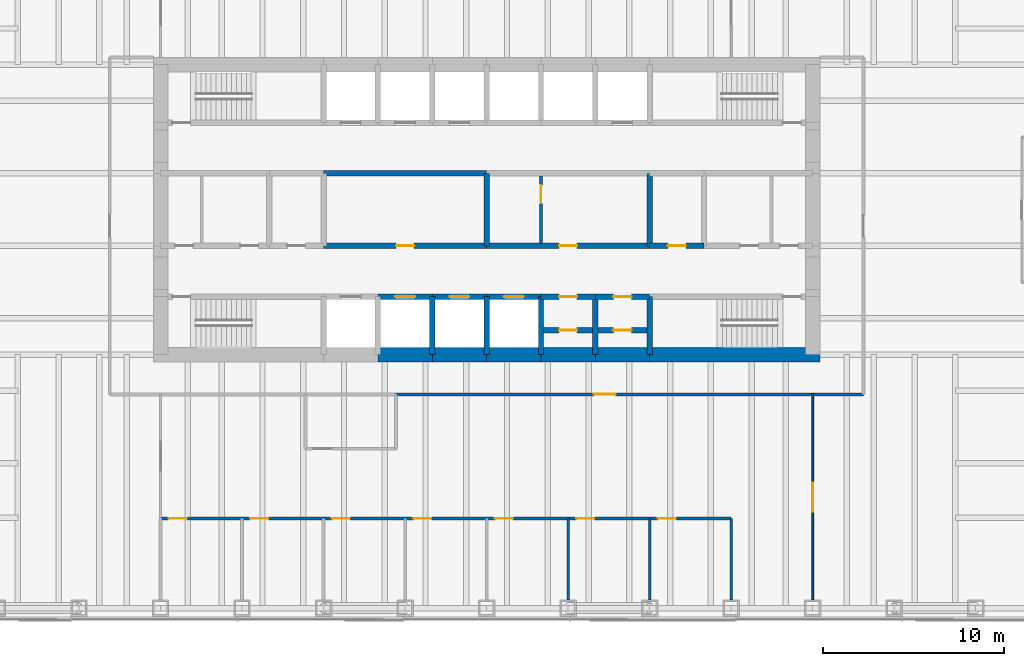
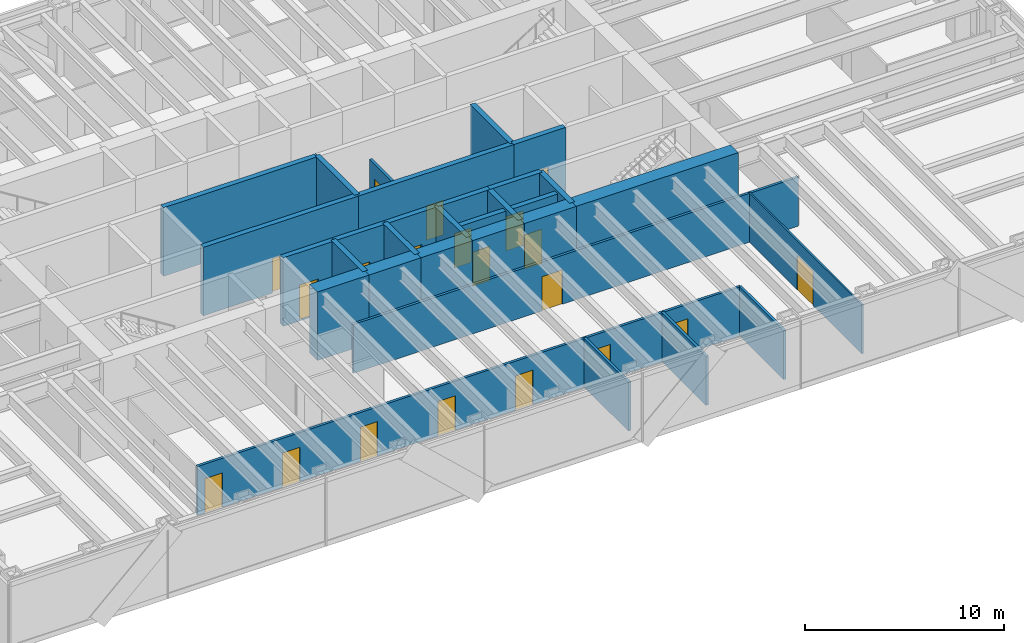
# One storey, part 14 of 17: 31 walls, 20 doors, 20 openings.
"""IFC4 building model written with IfcOpenShell, lengths in metres."""

from ifc_helpers import new_model, si_unit, direction, frame, frame_2d, origin, place, context, subcontext, project, spatial, rectangle, extrude, material, layer, layer_set, type_object, element, fill, save


model = new_model("IFC4")

# Units and contexts
model_context = context("Model", 3, precision=1e-05, world=origin(), true_north=direction((0.0, 1.0)))
body_context = subcontext(model_context, "Body", "Model", "MODEL_VIEW")
ifc_project = project(units=[si_unit("LENGTHUNIT", "METRE"), si_unit("AREAUNIT", "SQUARE_METRE"), si_unit("VOLUMEUNIT", "CUBIC_METRE"), si_unit("PLANEANGLEUNIT", "RADIAN"), si_unit("MASSUNIT", "GRAM", prefix="KILO")], contexts=[model_context])

# Site, building, storey
site_placement = place(None, origin())
site = spatial("IfcSite", under=ifc_project, at=site_placement, CompositionType="ELEMENT")
building_placement = place(site_placement, origin())
building = spatial("IfcBuilding", under=site, at=building_placement, Name="Rheinbord Bourse Tower", CompositionType="ELEMENT")
storey_placement = place(building_placement, frame((0.0, 0.0, 190.0)))
storey = spatial("IfcBuildingStorey", under=building, at=storey_placement, Name="L42", CompositionType="ELEMENT", Elevation=190.0)

# Wall, opening, door
ifc_material_1 = material(Name="Concrete C50/60", Category="concrete")
ifc_layer_1 = layer(ifc_material_1, 0.300048828125)
ifc_layer_set_1 = layer_set([ifc_layer_1], Name="CORE INNER WALL 300")
wall_type_1 = type_object("IfcWallType", Name="CORE INNER WALL 300", PredefinedType="SOLIDWALL", material=ifc_layer_set_1)
wall_1_placement = place(storey_placement, frame((30.0, 19.199951171875, 0.0), z_axis=(0.0, 0.0, 1.0), x_axis=(1.0, 0.0, 0.0)))
wall_1 = element("IfcWall", 1, at=wall_1_placement, inside=storey, type_object=wall_type_1, Name="Core wall A3 L42", PredefinedType="SOLIDWALL", context=body_context, shape_type="SweptSolid", body=[
    extrude(rectangle(XDim=3.0, YDim=0.300048828125, at=frame_2d((1.5, 0.0))), origin(), (0.0, 0.0, 1.0), 4.199951171875),
])
opening_1_placement = place(wall_1_placement, frame((0.949951171875, 0.0, 0.0)))
opening_1 = element("IfcOpeningElement", 2, at=opening_1_placement, cuts=wall_1, Name="Opening PC1", PredefinedType="OPENING", context=body_context, shape_type="SweptSolid", body=[
    extrude(rectangle(XDim=1.10009765625, YDim=2.199951171875, at=frame_2d((0.550048828125, 1.10009765625))), frame((0.0, 0.159912109375, 0.0), z_axis=(0.0, -1.0, 0.0), x_axis=(1.0, 0.0, 0.0)), (0.0, 0.0, 1.0), 0.320068359375),
])
ifc_material_2 = material(Name="Steel landing door", Category="steel")
door_type_1 = type_object("IfcDoorType", Name="LIFT LANDING DOOR 1100", OperationType="DOUBLE_DOOR_SLIDING", PredefinedType="USERDEFINED", material=ifc_material_2)
door_1_placement = place(opening_1_placement, origin())
door_1 = element("IfcDoor", 3, at=door_1_placement, inside=storey, type_object=door_type_1, Name="Lift landing door PC1 L42", ObjectType="LIFT LANDING DOOR", OperationType="DOUBLE_DOOR_SLIDING", OverallHeight=2.199951171875, OverallWidth=1.10009765625, PredefinedType="USERDEFINED", context=body_context, shape_type="SweptSolid", body=[
    extrude(rectangle(XDim=1.10009765625, YDim=2.199951171875, at=frame_2d((0.550048828125, 1.10009765625))), frame((0.0, 0.02490234375, 0.0), z_axis=(0.0, -1.0, 0.0), x_axis=(1.0, 0.0, 0.0)), (0.0, 0.0, 1.0), 0.050048828125),
])
fill(opening_1, door_1)

wall_2_placement = place(storey_placement, frame((33.0, 19.199951171875, 0.0), z_axis=(0.0, 0.0, 1.0), x_axis=(1.0, 0.0, 0.0)))
wall_2 = element("IfcWall", 4, at=wall_2_placement, inside=storey, type_object=wall_type_1, Name="Core wall A4 L42", PredefinedType="SOLIDWALL", context=body_context, shape_type="SweptSolid", body=[
    extrude(rectangle(XDim=3.0, YDim=0.300048828125, at=frame_2d((1.5, 0.0))), origin(), (0.0, 0.0, 1.0), 4.199951171875),
])
opening_2_placement = place(wall_2_placement, frame((0.949951171875, 0.0, 0.0)))
opening_2 = element("IfcOpeningElement", 5, at=opening_2_placement, cuts=wall_2, Name="Opening PC2", PredefinedType="OPENING", context=body_context, shape_type="SweptSolid", body=[
    extrude(rectangle(XDim=1.10009765625, YDim=2.199951171875, at=frame_2d((0.550048828125, 1.10009765625))), frame((0.0, 0.159912109375, 0.0), z_axis=(0.0, -1.0, 0.0), x_axis=(1.0, 0.0, 0.0)), (0.0, 0.0, 1.0), 0.320068359375),
])
door_2_placement = place(opening_2_placement, origin())
door_2 = element("IfcDoor", 6, at=door_2_placement, inside=storey, type_object=door_type_1, Name="Lift landing door PC2 L42", ObjectType="LIFT LANDING DOOR", OperationType="DOUBLE_DOOR_SLIDING", OverallHeight=2.199951171875, OverallWidth=1.10009765625, PredefinedType="USERDEFINED", context=body_context, shape_type="SweptSolid", body=[
    extrude(rectangle(XDim=1.10009765625, YDim=2.199951171875, at=frame_2d((0.550048828125, 1.10009765625))), frame((0.0, 0.02490234375, 0.0), z_axis=(0.0, -1.0, 0.0), x_axis=(1.0, 0.0, 0.0)), (0.0, 0.0, 1.0), 0.050048828125),
])
fill(opening_2, door_2)

wall_3_placement = place(storey_placement, frame((36.0, 19.199951171875, 0.0), z_axis=(0.0, 0.0, 1.0), x_axis=(1.0, 0.0, 0.0)))
wall_3 = element("IfcWall", 7, at=wall_3_placement, inside=storey, type_object=wall_type_1, Name="Core wall A5 L42", PredefinedType="SOLIDWALL", context=body_context, shape_type="SweptSolid", body=[
    extrude(rectangle(XDim=3.0, YDim=0.300048828125, at=frame_2d((1.5, 0.0))), origin(), (0.0, 0.0, 1.0), 4.199951171875),
])
opening_3_placement = place(wall_3_placement, frame((0.949951171875, 0.0, 0.0)))
opening_3 = element("IfcOpeningElement", 8, at=opening_3_placement, cuts=wall_3, Name="Opening PC3", PredefinedType="OPENING", context=body_context, shape_type="SweptSolid", body=[
    extrude(rectangle(XDim=1.10009765625, YDim=2.199951171875, at=frame_2d((0.550048828125, 1.10009765625))), frame((0.0, 0.159912109375, 0.0), z_axis=(0.0, -1.0, 0.0), x_axis=(1.0, 0.0, 0.0)), (0.0, 0.0, 1.0), 0.320068359375),
])
door_3_placement = place(opening_3_placement, origin())
door_3 = element("IfcDoor", 9, at=door_3_placement, inside=storey, type_object=door_type_1, Name="Lift landing door PC3 L42", ObjectType="LIFT LANDING DOOR", OperationType="DOUBLE_DOOR_SLIDING", OverallHeight=2.199951171875, OverallWidth=1.10009765625, PredefinedType="USERDEFINED", context=body_context, shape_type="SweptSolid", body=[
    extrude(rectangle(XDim=1.10009765625, YDim=2.199951171875, at=frame_2d((0.550048828125, 1.10009765625))), frame((0.0, 0.02490234375, 0.0), z_axis=(0.0, -1.0, 0.0), x_axis=(1.0, 0.0, 0.0)), (0.0, 0.0, 1.0), 0.050048828125),
])
fill(opening_3, door_3)

wall_4_placement = place(storey_placement, frame((39.0, 19.199951171875, 0.0), z_axis=(0.0, 0.0, 1.0), x_axis=(1.0, 0.0, 0.0)))
wall_4 = element("IfcWall", 10, at=wall_4_placement, inside=storey, type_object=wall_type_1, Name="Core wall A6 L42", PredefinedType="SOLIDWALL", context=body_context, shape_type="SweptSolid", body=[
    extrude(rectangle(XDim=3.0, YDim=0.300048828125, at=frame_2d((1.5, 0.0))), origin(), (0.0, 0.0, 1.0), 4.199951171875),
])
opening_4_placement = place(wall_4_placement, frame((1.0, 0.0, 0.0)))
opening_4 = element("IfcOpeningElement", 11, at=opening_4_placement, cuts=wall_4, Name="Opening 42R8", PredefinedType="OPENING", context=body_context, shape_type="SweptSolid", body=[
    extrude(rectangle(XDim=1.0, YDim=2.10009765625, at=frame_2d((0.5, 1.050048828125))), frame((0.0, 0.159912109375, 0.0), z_axis=(0.0, -1.0, 0.0), x_axis=(1.0, 0.0, 0.0)), (0.0, 0.0, 1.0), 0.320068359375),
])
ifc_material_3 = material(Name="Steel door", Category="steel")
door_type_2 = type_object("IfcDoorType", Name="DOOR 1000 EI30", OperationType="SINGLE_SWING_LEFT", PredefinedType="DOOR", material=ifc_material_3)
door_4_placement = place(opening_4_placement, origin())
door_4 = element("IfcDoor", 12, at=door_4_placement, inside=storey, type_object=door_type_2, Name="Archive store door L42", OperationType="SINGLE_SWING_LEFT", OverallHeight=2.10009765625, OverallWidth=1.0, PredefinedType="DOOR", context=body_context, shape_type="SweptSolid", body=[
    extrude(rectangle(XDim=1.0, YDim=2.10009765625, at=frame_2d((0.5, 1.050048828125))), frame((0.0, 0.02490234375, 0.0), z_axis=(0.0, -1.0, 0.0), x_axis=(1.0, 0.0, 0.0)), (0.0, 0.0, 1.0), 0.050048828125),
])
fill(opening_4, door_4)

wall_5_placement = place(storey_placement, frame((42.0, 19.199951171875, 0.0), z_axis=(0.0, 0.0, 1.0), x_axis=(1.0, 0.0, 0.0)))
wall_5 = element("IfcWall", 13, at=wall_5_placement, inside=storey, type_object=wall_type_1, Name="Core wall A7 L42", PredefinedType="SOLIDWALL", context=body_context, shape_type="SweptSolid", body=[
    extrude(rectangle(XDim=3.0, YDim=0.300048828125, at=frame_2d((1.5, 0.0))), origin(), (0.0, 0.0, 1.0), 4.199951171875),
])
opening_5_placement = place(wall_5_placement, frame((1.0, 0.0, 0.0)))
opening_5 = element("IfcOpeningElement", 14, at=opening_5_placement, cuts=wall_5, Name="Opening 42R9", PredefinedType="OPENING", context=body_context, shape_type="SweptSolid", body=[
    extrude(rectangle(XDim=1.0, YDim=2.10009765625, at=frame_2d((0.5, 1.050048828125))), frame((0.0, 0.159912109375, 0.0), z_axis=(0.0, -1.0, 0.0), x_axis=(1.0, 0.0, 0.0)), (0.0, 0.0, 1.0), 0.320068359375),
])
door_5_placement = place(opening_5_placement, origin())
door_5 = element("IfcDoor", 15, at=door_5_placement, inside=storey, type_object=door_type_2, Name="Mail room door L42", OperationType="SINGLE_SWING_LEFT", OverallHeight=2.10009765625, OverallWidth=1.0, PredefinedType="DOOR", context=body_context, shape_type="SweptSolid", body=[
    extrude(rectangle(XDim=1.0, YDim=2.10009765625, at=frame_2d((0.5, 1.050048828125))), frame((0.0, 0.02490234375, 0.0), z_axis=(0.0, -1.0, 0.0), x_axis=(1.0, 0.0, 0.0)), (0.0, 0.0, 1.0), 0.050048828125),
])
fill(opening_5, door_5)

wall_6_placement = place(storey_placement, frame((27.0, 22.0, 0.0), z_axis=(0.0, 0.0, 1.0), x_axis=(1.0, 0.0, 0.0)))
wall_6 = element("IfcWall", 16, at=wall_6_placement, inside=storey, type_object=wall_type_1, Name="Core wall C3 L42", PredefinedType="SOLIDWALL", context=body_context, shape_type="SweptSolid", body=[
    extrude(rectangle(XDim=9.0, YDim=0.300048828125, at=frame_2d((4.5, 0.0))), origin(), (0.0, 0.0, 1.0), 4.199951171875),
])
opening_6_placement = place(wall_6_placement, frame((4.0, 0.0, 0.0)))
opening_6 = element("IfcOpeningElement", 17, at=opening_6_placement, cuts=wall_6, Name="Opening 42R3", PredefinedType="OPENING", context=body_context, shape_type="SweptSolid", body=[
    extrude(rectangle(XDim=1.0, YDim=2.10009765625, at=frame_2d((0.5, 1.050048828125))), frame((0.0, 0.159912109375, 0.0), z_axis=(0.0, -1.0, 0.0), x_axis=(1.0, 0.0, 0.0)), (0.0, 0.0, 1.0), 0.320068359375),
])
door_6_placement = place(opening_6_placement, origin())
door_6 = element("IfcDoor", 18, at=door_6_placement, inside=storey, type_object=door_type_2, Name="Riser door L42", OperationType="SINGLE_SWING_LEFT", OverallHeight=2.10009765625, OverallWidth=1.0, PredefinedType="DOOR", context=body_context, shape_type="SweptSolid", body=[
    extrude(rectangle(XDim=1.0, YDim=2.10009765625, at=frame_2d((0.5, 1.050048828125))), frame((0.0, 0.02490234375, 0.0), z_axis=(0.0, -1.0, 0.0), x_axis=(1.0, 0.0, 0.0)), (0.0, 0.0, 1.0), 0.050048828125),
])
fill(opening_6, door_6)

wall_7_placement = place(storey_placement, frame((36.0, 22.0, 0.0), z_axis=(0.0, 0.0, 1.0), x_axis=(1.0, 0.0, 0.0)))
wall_7 = element("IfcWall", 19, at=wall_7_placement, inside=storey, type_object=wall_type_1, Name="Core wall C4 L42", PredefinedType="SOLIDWALL", context=body_context, shape_type="SweptSolid", body=[
    extrude(rectangle(XDim=9.0, YDim=0.300048828125, at=frame_2d((4.5, 0.0))), origin(), (0.0, 0.0, 1.0), 4.199951171875),
])
opening_7_placement = place(wall_7_placement, frame((4.0, 0.0, 0.0)))
opening_7 = element("IfcOpeningElement", 20, at=opening_7_placement, cuts=wall_7, Name="Opening 42R4", PredefinedType="OPENING", context=body_context, shape_type="SweptSolid", body=[
    extrude(rectangle(XDim=1.0, YDim=2.10009765625, at=frame_2d((0.5, 1.050048828125))), frame((0.0, 0.159912109375, 0.0), z_axis=(0.0, -1.0, 0.0), x_axis=(1.0, 0.0, 0.0)), (0.0, 0.0, 1.0), 0.320068359375),
])
door_7_placement = place(opening_7_placement, origin())
door_7 = element("IfcDoor", 21, at=door_7_placement, inside=storey, type_object=door_type_2, Name="Pantry door L42", OperationType="SINGLE_SWING_LEFT", OverallHeight=2.10009765625, OverallWidth=1.0, PredefinedType="DOOR", context=body_context, shape_type="SweptSolid", body=[
    extrude(rectangle(XDim=1.0, YDim=2.10009765625, at=frame_2d((0.5, 1.050048828125))), frame((0.0, 0.02490234375, 0.0), z_axis=(0.0, -1.0, 0.0), x_axis=(1.0, 0.0, 0.0)), (0.0, 0.0, 1.0), 0.050048828125),
])
fill(opening_7, door_7)

wall_8_placement = place(storey_placement, frame((45.0, 22.0, 0.0), z_axis=(0.0, 0.0, 1.0), x_axis=(1.0, 0.0, 0.0)))
wall_8 = element("IfcWall", 22, at=wall_8_placement, inside=storey, type_object=wall_type_1, Name="Core wall C5 L42", PredefinedType="SOLIDWALL", context=body_context, shape_type="SweptSolid", body=[
    extrude(rectangle(XDim=3.0, YDim=0.300048828125, at=frame_2d((1.5, 0.0))), origin(), (0.0, 0.0, 1.0), 4.199951171875),
])
opening_8_placement = place(wall_8_placement, frame((1.0, 0.0, 0.0)))
opening_8 = element("IfcOpeningElement", 23, at=opening_8_placement, cuts=wall_8, Name="Opening 42R5", PredefinedType="OPENING", context=body_context, shape_type="SweptSolid", body=[
    extrude(rectangle(XDim=1.0, YDim=2.10009765625, at=frame_2d((0.5, 1.050048828125))), frame((0.0, 0.159912109375, 0.0), z_axis=(0.0, -1.0, 0.0), x_axis=(1.0, 0.0, 0.0)), (0.0, 0.0, 1.0), 0.320068359375),
])
ifc_material_4 = material(Name="Timber door", Category="wood")
door_type_3 = type_object("IfcDoorType", Name="DOOR 1000 WC", OperationType="SINGLE_SWING_LEFT", PredefinedType="DOOR", material=ifc_material_4)
door_8_placement = place(opening_8_placement, origin())
door_8 = element("IfcDoor", 24, at=door_8_placement, inside=storey, type_object=door_type_3, Name="Accessible WC door L42", OperationType="SINGLE_SWING_LEFT", OverallHeight=2.10009765625, OverallWidth=1.0, PredefinedType="DOOR", context=body_context, shape_type="SweptSolid", body=[
    extrude(rectangle(XDim=1.0, YDim=2.10009765625, at=frame_2d((0.5, 1.050048828125))), frame((0.0, 0.02490234375, 0.0), z_axis=(0.0, -1.0, 0.0), x_axis=(1.0, 0.0, 0.0)), (0.0, 0.0, 1.0), 0.050048828125),
])
fill(opening_8, door_8)

# Walls
wall_9_placement = place(storey_placement, frame((27.0, 26.0, 0.0), z_axis=(0.0, 0.0, 1.0), x_axis=(1.0, 0.0, 0.0)))
element("IfcWall", 25, at=wall_9_placement, inside=storey, type_object=wall_type_1, Name="Core wall D3 L42", PredefinedType="SOLIDWALL", context=body_context, shape_type="SweptSolid", body=[
    extrude(rectangle(XDim=9.0, YDim=0.300048828125, at=frame_2d((4.5, 0.0))), origin(), (0.0, 0.0, 1.0), 4.199951171875),
])
for number, where, z_axis, x_axis, name in (
    (26, (33.0, 16.0, 0.0), (0.0, 0.0, 1.0), (0.0, 1.0, 0.0), "Core wall SX33 L42"),
    (27, (36.0, 16.0, 0.0), (0.0, 0.0, 1.0), (0.0, 1.0, 0.0), "Core wall SX36 L42"),
    (28, (39.0, 16.0, 0.0), (0.0, 0.0, 1.0), (0.0, 1.0, 0.0), "Core wall SX39 L42"),
    (29, (42.0, 16.0, 0.0), (0.0, 0.0, 1.0), (0.0, 1.0, 0.0), "Core wall SX42 L42"),
    (30, (45.0, 16.0, 0.0), (0.0, 0.0, 1.0), (0.0, 1.0, 0.0), "Core wall SX45 L42"),
):
    element("IfcWall", number, at=place(storey_placement, frame(where, z_axis=z_axis, x_axis=x_axis)), inside=storey, type_object=wall_type_1, Name=name, PredefinedType="SOLIDWALL", context=body_context, shape_type="SweptSolid", body=[
        extrude(rectangle(XDim=3.199951171875, YDim=0.300048828125, at=frame_2d((1.60009765625, 0.0))), origin(), (0.0, 0.0, 1.0), 4.199951171875),
    ])
for number, where, z_axis, x_axis, name in (
    (31, (36.0, 22.0, 0.0), (0.0, 0.0, 1.0), (0.0, 1.0, 0.0), "Core wall MX36 L42"),
    (32, (45.0, 22.0, 0.0), (0.0, 0.0, 1.0), (0.0, 1.0, 0.0), "Core wall MX45 L42"),
):
    element("IfcWall", number, at=place(storey_placement, frame(where, z_axis=z_axis, x_axis=x_axis)), inside=storey, type_object=wall_type_1, Name=name, PredefinedType="SOLIDWALL", context=body_context, shape_type="SweptSolid", body=[
        extrude(rectangle(XDim=4.0, YDim=0.300048828125, at=frame_2d((2.0, 0.0))), origin(), (0.0, 0.0, 1.0), 4.199951171875),
    ])

# Wall, opening, door
wall_10_placement = place(storey_placement, frame((39.14990234375, 17.35009765625, 0.0), z_axis=(0.0, 0.0, 1.0), x_axis=(1.0, 0.0, 0.0)))
wall_10 = element("IfcWall", 33, at=wall_10_placement, inside=storey, type_object=wall_type_1, Name="Core riser wall L42-6", PredefinedType="SOLIDWALL", context=body_context, shape_type="SweptSolid", body=[
    extrude(rectangle(XDim=2.7001953125, YDim=0.300048828125, at=frame_2d((1.35009765625, 0.0))), origin(), (0.0, 0.0, 1.0), 4.0400390625),
])
opening_9_placement = place(wall_10_placement, frame((0.85009765625, 0.0, 0.0)))
opening_9 = element("IfcOpeningElement", 34, at=opening_9_placement, cuts=wall_10, Name="Opening 42R12", PredefinedType="OPENING", context=body_context, shape_type="SweptSolid", body=[
    extrude(rectangle(XDim=1.0, YDim=2.10009765625, at=frame_2d((0.5, 1.050048828125))), frame((0.0, 0.159912109375, 0.0), z_axis=(0.0, -1.0, 0.0), x_axis=(1.0, 0.0, 0.0)), (0.0, 0.0, 1.0), 0.320068359375),
])
door_9_placement = place(opening_9_placement, origin())
door_9 = element("IfcDoor", 35, at=door_9_placement, inside=storey, type_object=door_type_2, Name="Comms riser door L42", OperationType="SINGLE_SWING_LEFT", OverallHeight=2.10009765625, OverallWidth=1.0, PredefinedType="DOOR", context=body_context, shape_type="SweptSolid", body=[
    extrude(rectangle(XDim=1.0, YDim=2.10009765625, at=frame_2d((0.5, 1.050048828125))), frame((0.0, 0.02490234375, 0.0), z_axis=(0.0, -1.0, 0.0), x_axis=(1.0, 0.0, 0.0)), (0.0, 0.0, 1.0), 0.050048828125),
])
fill(opening_9, door_9)

wall_11_placement = place(storey_placement, frame((42.14990234375, 17.35009765625, 0.0), z_axis=(0.0, 0.0, 1.0), x_axis=(1.0, 0.0, 0.0)))
wall_11 = element("IfcWall", 36, at=wall_11_placement, inside=storey, type_object=wall_type_1, Name="Core riser wall L42-7", PredefinedType="SOLIDWALL", context=body_context, shape_type="SweptSolid", body=[
    extrude(rectangle(XDim=2.7001953125, YDim=0.300048828125, at=frame_2d((1.35009765625, 0.0))), origin(), (0.0, 0.0, 1.0), 4.0400390625),
])
opening_10_placement = place(wall_11_placement, frame((0.85009765625, 0.0, 0.0)))
opening_10 = element("IfcOpeningElement", 37, at=opening_10_placement, cuts=wall_11, Name="Opening 42R13", PredefinedType="OPENING", context=body_context, shape_type="SweptSolid", body=[
    extrude(rectangle(XDim=1.0, YDim=2.10009765625, at=frame_2d((0.5, 1.050048828125))), frame((0.0, 0.159912109375, 0.0), z_axis=(0.0, -1.0, 0.0), x_axis=(1.0, 0.0, 0.0)), (0.0, 0.0, 1.0), 0.320068359375),
])
door_10_placement = place(opening_10_placement, origin())
door_10 = element("IfcDoor", 38, at=door_10_placement, inside=storey, type_object=door_type_2, Name="Electrical riser door L42", OperationType="SINGLE_SWING_LEFT", OverallHeight=2.10009765625, OverallWidth=1.0, PredefinedType="DOOR", context=body_context, shape_type="SweptSolid", body=[
    extrude(rectangle(XDim=1.0, YDim=2.10009765625, at=frame_2d((0.5, 1.050048828125))), frame((0.0, 0.02490234375, 0.0), z_axis=(0.0, -1.0, 0.0), x_axis=(1.0, 0.0, 0.0)), (0.0, 0.0, 1.0), 0.050048828125),
])
fill(opening_10, door_10)

ifc_material_5 = material(Name="Gypsum board fire partition", Category="gypsum board")
ifc_layer_2 = layer(ifc_material_5, 0.14990234375)
ifc_layer_set_2 = layer_set([ifc_layer_2], Name="CORE PARTITION 150 EI30")
wall_type_2 = type_object("IfcWallType", Name="CORE PARTITION 150 EI30", PredefinedType="PARTITIONING", material=ifc_layer_set_2)
wall_12_placement = place(storey_placement, frame((39.0, 22.14990234375, 0.0), z_axis=(0.0, 0.0, 1.0), x_axis=(0.0, 1.0, 0.0)))
wall_12 = element("IfcWall", 39, at=wall_12_placement, inside=storey, type_object=wall_type_2, Name="Core partition L42-1", PredefinedType="PARTITIONING", context=body_context, shape_type="SweptSolid", body=[
    extrude(rectangle(XDim=3.7001953125, YDim=0.14990234375, at=frame_2d((1.85009765625, 0.0))), origin(), (0.0, 0.0, 1.0), 3.0),
])
opening_11_placement = place(wall_12_placement, frame((2.199951171875, 0.0, 0.0)))
opening_11 = element("IfcOpeningElement", 40, at=opening_11_placement, cuts=wall_12, Name="Opening 42R7", PredefinedType="OPENING", context=body_context, shape_type="SweptSolid", body=[
    extrude(rectangle(XDim=1.0, YDim=2.10009765625, at=frame_2d((0.5, 1.050048828125))), frame((0.0, 0.0849609375, 0.0), z_axis=(0.0, -1.0, 0.0), x_axis=(1.0, 0.0, 0.0)), (0.0, 0.0, 1.0), 0.169921875),
])
door_11_placement = place(opening_11_placement, origin())
door_11 = element("IfcDoor", 41, at=door_11_placement, inside=storey, type_object=door_type_2, Name="Cleaner's store door L42", OperationType="SINGLE_SWING_RIGHT", OverallHeight=2.10009765625, OverallWidth=1.0, PredefinedType="DOOR", context=body_context, shape_type="SweptSolid", body=[
    extrude(rectangle(XDim=1.0, YDim=2.10009765625, at=frame_2d((0.5, 1.050048828125))), frame((0.0, 0.02490234375, 0.0), z_axis=(0.0, -1.0, 0.0), x_axis=(1.0, 0.0, 0.0)), (0.0, 0.0, 1.0), 0.050048828125),
])
fill(opening_11, door_11)

# Walls
ifc_material_6 = material(Name="Concrete C50/60", Category="concrete")
ifc_layer_3 = layer(ifc_material_6, 0.800048828125)
ifc_layer_set_3 = layer_set([ifc_layer_3], Name="CORE WALL 800")
wall_type_3 = type_object("IfcWallType", Name="CORE WALL 800", PredefinedType="SHEAR", material=ifc_layer_set_3)
for number, where, z_axis, x_axis, name in (
    (42, (30.0, 16.0, 0.0), (0.0, 0.0, 1.0), (1.0, 0.0, 0.0), "Core wall S3 L42"),
    (43, (33.0, 16.0, 0.0), (0.0, 0.0, 1.0), (1.0, 0.0, 0.0), "Core wall S4 L42"),
    (44, (36.0, 16.0, 0.0), (0.0, 0.0, 1.0), (1.0, 0.0, 0.0), "Core wall S5 L42"),
    (45, (39.0, 16.0, 0.0), (0.0, 0.0, 1.0), (1.0, 0.0, 0.0), "Core wall S6 L42"),
    (46, (42.0, 16.0, 0.0), (0.0, 0.0, 1.0), (1.0, 0.0, 0.0), "Core wall S7 L42"),
):
    element("IfcWall", number, at=place(storey_placement, frame(where, z_axis=z_axis, x_axis=x_axis)), inside=storey, type_object=wall_type_3, Name=name, PredefinedType="SHEAR", context=body_context, shape_type="SweptSolid", body=[
        extrude(rectangle(XDim=3.0, YDim=0.800048828125, at=frame_2d((1.5, 0.0))), origin(), (0.0, 0.0, 1.0), 4.199951171875),
    ])
wall_13_placement = place(storey_placement, frame((45.0, 16.0, 0.0), z_axis=(0.0, 0.0, 1.0), x_axis=(1.0, 0.0, 0.0)))
element("IfcWall", 47, at=wall_13_placement, inside=storey, type_object=wall_type_3, Name="Core wall S8 L42", PredefinedType="SHEAR", context=body_context, shape_type="SweptSolid", body=[
    extrude(rectangle(XDim=9.39990234375, YDim=0.800048828125, at=frame_2d((4.699951171875, 0.0))), origin(), (0.0, 0.0, 1.0), 4.199951171875),
])

# Wall, opening, door
ifc_material_7 = material(Name="Gypsum board corridor partition", Category="gypsum board")
ifc_layer_4 = layer(ifc_material_7, 0.14990234375)
ifc_layer_set_4 = layer_set([ifc_layer_4], Name="CORRIDOR PARTITION 150 EI30")
wall_type_4 = type_object("IfcWallType", Name="CORRIDOR PARTITION 150 EI30", PredefinedType="PARTITIONING", material=ifc_layer_set_4)
wall_14_placement = place(storey_placement, frame((31.0, 13.800048828125, 0.0), z_axis=(0.0, 0.0, 1.0), x_axis=(1.0, 0.0, 0.0)))
wall_14 = element("IfcWall", 48, at=wall_14_placement, inside=storey, type_object=wall_type_4, Name="Partition L42-05", PredefinedType="PARTITIONING", context=body_context, shape_type="SweptSolid", body=[
    extrude(rectangle(XDim=25.800048828125, YDim=0.14990234375, at=frame_2d((12.89990234375, 0.0))), origin(), (0.0, 0.0, 1.0), 3.0),
])
opening_12_placement = place(wall_14_placement, frame((10.925048828125, 0.0, 0.0)))
opening_12 = element("IfcOpeningElement", 49, at=opening_12_placement, cuts=wall_14, Name="Opening 42D25", PredefinedType="OPENING", context=body_context, shape_type="SweptSolid", body=[
    extrude(rectangle(XDim=1.199951171875, YDim=2.10009765625, at=frame_2d((0.60009765625, 1.050048828125))), frame((0.0, 0.0849609375, 0.0), z_axis=(0.0, -1.0, 0.0), x_axis=(1.0, 0.0, 0.0)), (0.0, 0.0, 1.0), 0.169921875),
])
ifc_material_8 = material(Name="Timber fire door", Category="wood")
door_type_4 = type_object("IfcDoorType", Name="SUITE ENTRANCE DOOR 1200 EI30", OperationType="SINGLE_SWING_LEFT", PredefinedType="DOOR", material=ifc_material_8)
door_12_placement = place(opening_12_placement, origin())
door_12 = element("IfcDoor", 50, at=door_12_placement, inside=storey, type_object=door_type_4, Name="Suite entrance 3 door L42", OperationType="SINGLE_SWING_LEFT", OverallHeight=2.10009765625, OverallWidth=1.199951171875, PredefinedType="DOOR", context=body_context, shape_type="SweptSolid", body=[
    extrude(rectangle(XDim=1.199951171875, YDim=2.10009765625, at=frame_2d((0.60009765625, 1.050048828125))), frame((0.0, 0.02490234375, 0.0), z_axis=(0.0, -1.0, 0.0), x_axis=(1.0, 0.0, 0.0)), (0.0, 0.0, 1.0), 0.050048828125),
])
fill(opening_12, door_12)

ifc_material_9 = material(Name="Toughened laminated glass partition", Category="glass")
ifc_layer_5 = layer(ifc_material_9, 0.10009765625)
ifc_layer_set_5 = layer_set([ifc_layer_5], Name="GLAZED PARTITION 100")
wall_type_5 = type_object("IfcWallType", Name="GLAZED PARTITION 100", PredefinedType="PARTITIONING", material=ifc_layer_set_5)
wall_15_placement = place(storey_placement, frame((54.0, 2.449951171875, 0.0), z_axis=(0.0, 0.0, 1.0), x_axis=(0.0, 1.0, 0.0)))
wall_15 = element("IfcWall", 51, at=wall_15_placement, inside=storey, type_object=wall_type_5, Name="Partition L42-38", PredefinedType="PARTITIONING", context=body_context, shape_type="SweptSolid", body=[
    extrude(rectangle(XDim=11.35009765625, YDim=0.10009765625, at=frame_2d((5.675048828125, 0.0))), origin(), (0.0, 0.0, 1.0), 3.0),
])
opening_13_placement = place(wall_15_placement, frame((4.875, 0.0, 0.0)))
opening_13 = element("IfcOpeningElement", 52, at=opening_13_placement, cuts=wall_15, Name="Opening 42D21", PredefinedType="OPENING", context=body_context, shape_type="SweptSolid", body=[
    extrude(rectangle(XDim=1.60009765625, YDim=2.10009765625, at=frame_2d((0.800048828125, 1.050048828125))), frame((0.0, 0.06005859375, 0.0), z_axis=(0.0, -1.0, 0.0), x_axis=(1.0, 0.0, 0.0)), (0.0, 0.0, 1.0), 0.1201171875),
])
ifc_material_10 = material(Name="Timber door", Category="wood")
door_type_5 = type_object("IfcDoorType", Name="DOUBLE ROOM DOOR 1600", OperationType="DOUBLE_DOOR_DOUBLE_SWING", PredefinedType="DOOR", material=ifc_material_10)
door_13_placement = place(opening_13_placement, origin())
door_13 = element("IfcDoor", 53, at=door_13_placement, inside=storey, type_object=door_type_5, Name="Open area door L42", OperationType="SINGLE_SWING_LEFT", OverallHeight=2.10009765625, OverallWidth=1.60009765625, PredefinedType="DOOR", context=body_context, shape_type="SweptSolid", body=[
    extrude(rectangle(XDim=1.60009765625, YDim=2.10009765625, at=frame_2d((0.800048828125, 1.050048828125))), frame((0.0, 0.02490234375, 0.0), z_axis=(0.0, -1.0, 0.0), x_axis=(1.0, 0.0, 0.0)), (0.0, 0.0, 1.0), 0.050048828125),
])
fill(opening_13, door_13)

# Wall, openings, doors
ifc_material_11 = material(Name="Gypsum board partition", Category="gypsum board")
ifc_layer_6 = layer(ifc_material_11, 0.14990234375)
ifc_layer_set_6 = layer_set([ifc_layer_6], Name="PARTITION 150")
wall_type_6 = type_object("IfcWallType", Name="PARTITION 150", PredefinedType="PARTITIONING", material=ifc_layer_set_6)
wall_16_placement = place(storey_placement, frame((18.0, 6.949951171875, 0.0), z_axis=(0.0, 0.0, 1.0), x_axis=(1.0, 0.0, 0.0)))
wall_16 = element("IfcWall", 54, at=wall_16_placement, inside=storey, type_object=wall_type_6, Name="Partition L42-01", PredefinedType="PARTITIONING", context=body_context, shape_type="SweptSolid", body=[
    extrude(rectangle(XDim=31.5, YDim=0.14990234375, at=frame_2d((15.75, 0.0))), origin(), (0.0, 0.0, 1.0), 3.0),
])
opening_14_placement = place(wall_16_placement, frame((0.449951171875, 0.0, 0.0)))
opening_14 = element("IfcOpeningElement", 55, at=opening_14_placement, cuts=wall_16, Name="Opening 42D01", PredefinedType="OPENING", context=body_context, shape_type="SweptSolid", body=[
    extrude(rectangle(XDim=1.0, YDim=2.10009765625, at=frame_2d((0.5, 1.050048828125))), frame((0.0, 0.0849609375, 0.0), z_axis=(0.0, -1.0, 0.0), x_axis=(1.0, 0.0, 0.0)), (0.0, 0.0, 1.0), 0.169921875),
])
opening_15_placement = place(wall_16_placement, frame((4.949951171875, 0.0, 0.0)))
opening_15 = element("IfcOpeningElement", 56, at=opening_15_placement, cuts=wall_16, Name="Opening 42D02", PredefinedType="OPENING", context=body_context, shape_type="SweptSolid", body=[
    extrude(rectangle(XDim=1.0, YDim=2.10009765625, at=frame_2d((0.5, 1.050048828125))), frame((0.0, 0.0849609375, 0.0), z_axis=(0.0, -1.0, 0.0), x_axis=(1.0, 0.0, 0.0)), (0.0, 0.0, 1.0), 0.169921875),
])
opening_16_placement = place(wall_16_placement, frame((9.449951171875, 0.0, 0.0)))
opening_16 = element("IfcOpeningElement", 57, at=opening_16_placement, cuts=wall_16, Name="Opening 42D03", PredefinedType="OPENING", context=body_context, shape_type="SweptSolid", body=[
    extrude(rectangle(XDim=1.0, YDim=2.10009765625, at=frame_2d((0.5, 1.050048828125))), frame((0.0, 0.0849609375, 0.0), z_axis=(0.0, -1.0, 0.0), x_axis=(1.0, 0.0, 0.0)), (0.0, 0.0, 1.0), 0.169921875),
])
opening_17_placement = place(wall_16_placement, frame((13.949951171875, 0.0, 0.0)))
opening_17 = element("IfcOpeningElement", 58, at=opening_17_placement, cuts=wall_16, Name="Opening 42D04", PredefinedType="OPENING", context=body_context, shape_type="SweptSolid", body=[
    extrude(rectangle(XDim=1.0, YDim=2.10009765625, at=frame_2d((0.5, 1.050048828125))), frame((0.0, 0.0849609375, 0.0), z_axis=(0.0, -1.0, 0.0), x_axis=(1.0, 0.0, 0.0)), (0.0, 0.0, 1.0), 0.169921875),
])
opening_18_placement = place(wall_16_placement, frame((18.449951171875, 0.0, 0.0)))
opening_18 = element("IfcOpeningElement", 59, at=opening_18_placement, cuts=wall_16, Name="Opening 42D05", PredefinedType="OPENING", context=body_context, shape_type="SweptSolid", body=[
    extrude(rectangle(XDim=1.0, YDim=2.10009765625, at=frame_2d((0.5, 1.050048828125))), frame((0.0, 0.0849609375, 0.0), z_axis=(0.0, -1.0, 0.0), x_axis=(1.0, 0.0, 0.0)), (0.0, 0.0, 1.0), 0.169921875),
])
opening_19_placement = place(wall_16_placement, frame((22.949951171875, 0.0, 0.0)))
opening_19 = element("IfcOpeningElement", 60, at=opening_19_placement, cuts=wall_16, Name="Opening 42D06", PredefinedType="OPENING", context=body_context, shape_type="SweptSolid", body=[
    extrude(rectangle(XDim=1.0, YDim=2.10009765625, at=frame_2d((0.5, 1.050048828125))), frame((0.0, 0.0849609375, 0.0), z_axis=(0.0, -1.0, 0.0), x_axis=(1.0, 0.0, 0.0)), (0.0, 0.0, 1.0), 0.169921875),
])
opening_20_placement = place(wall_16_placement, frame((27.449951171875, 0.0, 0.0)))
opening_20 = element("IfcOpeningElement", 61, at=opening_20_placement, cuts=wall_16, Name="Opening 42D07", PredefinedType="OPENING", context=body_context, shape_type="SweptSolid", body=[
    extrude(rectangle(XDim=1.0, YDim=2.10009765625, at=frame_2d((0.5, 1.050048828125))), frame((0.0, 0.0849609375, 0.0), z_axis=(0.0, -1.0, 0.0), x_axis=(1.0, 0.0, 0.0)), (0.0, 0.0, 1.0), 0.169921875),
])
ifc_material_12 = material(Name="Timber door", Category="wood")
door_type_6 = type_object("IfcDoorType", Name="ROOM DOOR 1000", OperationType="SINGLE_SWING_LEFT", PredefinedType="DOOR", material=ifc_material_12)
door_14_placement = place(opening_14_placement, origin())
door_14 = element("IfcDoor", 62, at=door_14_placement, inside=storey, type_object=door_type_6, Name="Office door L42", OperationType="SINGLE_SWING_LEFT", OverallHeight=2.10009765625, OverallWidth=1.0, PredefinedType="DOOR", context=body_context, shape_type="SweptSolid", body=[
    extrude(rectangle(XDim=1.0, YDim=2.10009765625, at=frame_2d((0.5, 1.050048828125))), frame((0.0, 0.02490234375, 0.0), z_axis=(0.0, -1.0, 0.0), x_axis=(1.0, 0.0, 0.0)), (0.0, 0.0, 1.0), 0.050048828125),
])
fill(opening_14, door_14)
door_15_placement = place(opening_15_placement, origin())
door_15 = element("IfcDoor", 63, at=door_15_placement, inside=storey, type_object=door_type_6, Name="Office door L42", OperationType="SINGLE_SWING_LEFT", OverallHeight=2.10009765625, OverallWidth=1.0, PredefinedType="DOOR", context=body_context, shape_type="SweptSolid", body=[
    extrude(rectangle(XDim=1.0, YDim=2.10009765625, at=frame_2d((0.5, 1.050048828125))), frame((0.0, 0.02490234375, 0.0), z_axis=(0.0, -1.0, 0.0), x_axis=(1.0, 0.0, 0.0)), (0.0, 0.0, 1.0), 0.050048828125),
])
fill(opening_15, door_15)
door_16_placement = place(opening_16_placement, origin())
door_16 = element("IfcDoor", 64, at=door_16_placement, inside=storey, type_object=door_type_6, Name="Office door L42", OperationType="SINGLE_SWING_LEFT", OverallHeight=2.10009765625, OverallWidth=1.0, PredefinedType="DOOR", context=body_context, shape_type="SweptSolid", body=[
    extrude(rectangle(XDim=1.0, YDim=2.10009765625, at=frame_2d((0.5, 1.050048828125))), frame((0.0, 0.02490234375, 0.0), z_axis=(0.0, -1.0, 0.0), x_axis=(1.0, 0.0, 0.0)), (0.0, 0.0, 1.0), 0.050048828125),
])
fill(opening_16, door_16)
door_17_placement = place(opening_17_placement, origin())
door_17 = element("IfcDoor", 65, at=door_17_placement, inside=storey, type_object=door_type_6, Name="Office door L42", OperationType="SINGLE_SWING_LEFT", OverallHeight=2.10009765625, OverallWidth=1.0, PredefinedType="DOOR", context=body_context, shape_type="SweptSolid", body=[
    extrude(rectangle(XDim=1.0, YDim=2.10009765625, at=frame_2d((0.5, 1.050048828125))), frame((0.0, 0.02490234375, 0.0), z_axis=(0.0, -1.0, 0.0), x_axis=(1.0, 0.0, 0.0)), (0.0, 0.0, 1.0), 0.050048828125),
])
fill(opening_17, door_17)
door_18_placement = place(opening_18_placement, origin())
door_18 = element("IfcDoor", 66, at=door_18_placement, inside=storey, type_object=door_type_6, Name="Office door L42", OperationType="SINGLE_SWING_RIGHT", OverallHeight=2.10009765625, OverallWidth=1.0, PredefinedType="DOOR", context=body_context, shape_type="SweptSolid", body=[
    extrude(rectangle(XDim=1.0, YDim=2.10009765625, at=frame_2d((0.5, 1.050048828125))), frame((0.0, 0.02490234375, 0.0), z_axis=(0.0, -1.0, 0.0), x_axis=(1.0, 0.0, 0.0)), (0.0, 0.0, 1.0), 0.050048828125),
])
fill(opening_18, door_18)
door_19_placement = place(opening_19_placement, origin())
door_19 = element("IfcDoor", 67, at=door_19_placement, inside=storey, type_object=door_type_6, Name="Office door L42", OperationType="SINGLE_SWING_RIGHT", OverallHeight=2.10009765625, OverallWidth=1.0, PredefinedType="DOOR", context=body_context, shape_type="SweptSolid", body=[
    extrude(rectangle(XDim=1.0, YDim=2.10009765625, at=frame_2d((0.5, 1.050048828125))), frame((0.0, 0.02490234375, 0.0), z_axis=(0.0, -1.0, 0.0), x_axis=(1.0, 0.0, 0.0)), (0.0, 0.0, 1.0), 0.050048828125),
])
fill(opening_19, door_19)
door_20_placement = place(opening_20_placement, origin())
door_20 = element("IfcDoor", 68, at=door_20_placement, inside=storey, type_object=door_type_6, Name="Pantry door L42", OperationType="SINGLE_SWING_RIGHT", OverallHeight=2.10009765625, OverallWidth=1.0, PredefinedType="DOOR", context=body_context, shape_type="SweptSolid", body=[
    extrude(rectangle(XDim=1.0, YDim=2.10009765625, at=frame_2d((0.5, 1.050048828125))), frame((0.0, 0.02490234375, 0.0), z_axis=(0.0, -1.0, 0.0), x_axis=(1.0, 0.0, 0.0)), (0.0, 0.0, 1.0), 0.050048828125),
])
fill(opening_20, door_20)

# Walls
for number, where, z_axis, x_axis, name in (
    (69, (40.5, 2.449951171875, 0.0), (0.0, 0.0, 1.0), (0.0, 1.0, 0.0), "Partition L42-31"),
    (70, (45.0, 2.449951171875, 0.0), (0.0, 0.0, 1.0), (0.0, 1.0, 0.0), "Partition L42-33"),
    (71, (49.5, 2.449951171875, 0.0), (0.0, 0.0, 1.0), (0.0, 1.0, 0.0), "Partition L42-35"),
):
    element("IfcWall", number, at=place(storey_placement, frame(where, z_axis=z_axis, x_axis=x_axis)), inside=storey, type_object=wall_type_6, Name=name, PredefinedType="PARTITIONING", context=body_context, shape_type="SweptSolid", body=[
        extrude(rectangle(XDim=4.5, YDim=0.14990234375, at=frame_2d((2.25, 0.0))), origin(), (0.0, 0.0, 1.0), 3.0),
    ])

save(model, "model.ifc")
